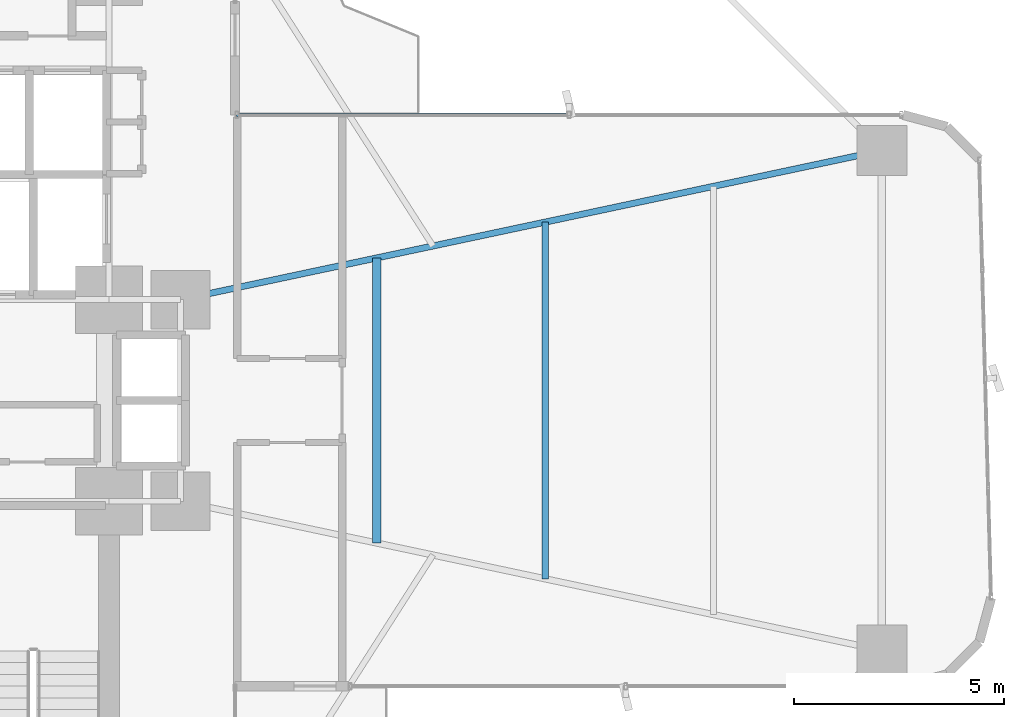
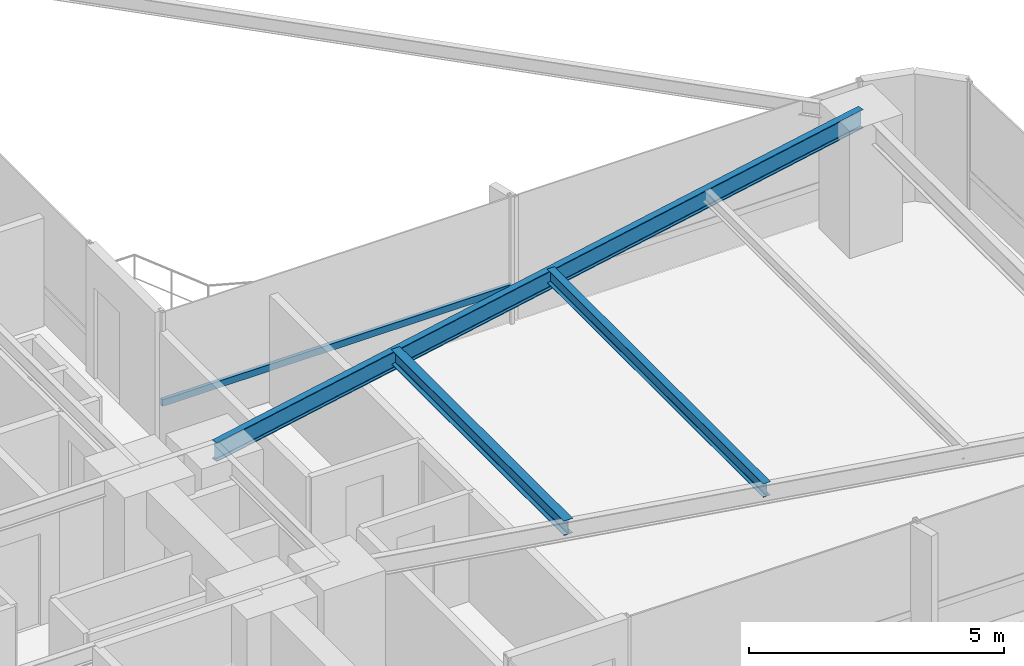
# One storey, part 15 of 26: 3 beams, 1 member, 1 element without a shape of its own.
"""IFC4 building model written with IfcOpenShell, lengths in metres."""

import ifcopenshell
import ifcopenshell.guid

model = None  # the IFC model being written
_history = None  # IfcOwnerHistory: only IFC2X3 demands one
_inside = {}  # id of a spatial element -> (the spatial element, [elements in it])
_under = {}  # id of a project, library or spatial element -> (it, [spatial elements below it])
_declared = {}  # id of a project -> (the project, [libraries it declares])
_typed = {}  # id of a type object -> (the type object, [elements of that type])
_made_of = {}  # id of a material, layer set ... -> (it, [elements and type objects made of it])


def new_model(schema):
    """Start an empty IFC model of exactly this schema.

    Asked for "IFC4X3", IfcOpenShell would pick the latest addendum, in which some entities
    have other attributes; the version numbers below select the first issue.
    IFC2X3 requires an IfcOwnerHistory on every rooted entity: one is made here for all.
    """
    global model, _history
    if schema == "IFC4X3":
        model = ifcopenshell.file(schema_version=(4, 3, 0, 0))
    else:
        model = ifcopenshell.file(schema=schema)
    _inside.clear()
    _under.clear()
    _declared.clear()
    _typed.clear()
    _made_of.clear()
    _history = None
    if model.schema == "IFC2X3":
        org = make("IfcOrganization", Name="unknown")
        user = make(
            "IfcPersonAndOrganization",
            ThePerson=make("IfcPerson", FamilyName="unknown"),
            TheOrganization=org,
        )
        app = make(
            "IfcApplication",
            ApplicationDeveloper=org,
            Version="unknown",
            ApplicationFullName="unknown",
            ApplicationIdentifier="unknown",
        )
        _history = make(
            "IfcOwnerHistory",
            OwningUser=user,
            OwningApplication=app,
            ChangeAction="ADDED",
            CreationDate=0,
        )
    return model


def make(cls, **values):
    """One entity of the class cls with the attributes given. An attribute that is None is left unset."""
    return model.create_entity(
        cls, **{name: value for name, value in values.items() if value is not None}
    )


def rooted(cls, **values):
    """An entity with a GlobalId (a new one), such as an element, a storey or a relation."""
    return make(cls, GlobalId=ifcopenshell.guid.new(), OwnerHistory=_history, **values)


def si_unit(unit_type, name, prefix=None):
    """IfcSIUnit, for example si_unit("LENGTHUNIT", "METRE", prefix="MILLI")."""
    return make("IfcSIUnit", UnitType=unit_type, Prefix=prefix, Name=name)


def assignment(units):
    """IfcUnitAssignment: the units of a project."""
    return None if units is None else make("IfcUnitAssignment", Units=units)


def point(xyz):
    """IfcCartesianPoint."""
    return None if xyz is None else make("IfcCartesianPoint", Coordinates=xyz)


def direction(xyz):
    """IfcDirection."""
    return None if xyz is None else make("IfcDirection", DirectionRatios=xyz)


def frame(location, z_axis=None, x_axis=None):
    """IfcAxis2Placement3D, a coordinate frame: its origin and axes. An axis left out is left unset."""
    return make(
        "IfcAxis2Placement3D",
        Location=point(location),
        Axis=direction(z_axis),
        RefDirection=direction(x_axis),
    )


def frame_2d(location, x_axis=None):
    """IfcAxis2Placement2D, a coordinate frame in the plane: its origin and x axis."""
    return make(
        "IfcAxis2Placement2D", Location=point(location), RefDirection=direction(x_axis)
    )


def origin():
    """The frame at (0, 0, 0) with its axes left unset."""
    return frame((0.0, 0.0, 0.0))


def origin_2d():
    """The frame at (0, 0) in the plane with its x axis left unset."""
    return frame_2d((0.0, 0.0))


def place(relative_to, where):
    """IfcLocalPlacement: puts the frame where relative to a parent placement (None: the world)."""
    return make(
        "IfcLocalPlacement", PlacementRelTo=relative_to, RelativePlacement=where
    )


def context(
    kind, dimensions, precision=None, world=None, true_north=None, identifier=None
):
    """IfcGeometricRepresentationContext, for example the 3D "Model" context."""
    return make(
        "IfcGeometricRepresentationContext",
        ContextIdentifier=identifier,
        ContextType=kind,
        CoordinateSpaceDimension=dimensions,
        Precision=precision,
        WorldCoordinateSystem=world,
        TrueNorth=true_north,
    )


def subcontext(parent, identifier, kind, view, scale=None):
    """IfcGeometricRepresentationSubContext, for example "Body" below "Model"."""
    return make(
        "IfcGeometricRepresentationSubContext",
        ContextIdentifier=identifier,
        ContextType=kind,
        ParentContext=parent,
        TargetScale=scale,
        TargetView=view,
    )


def project(units=None, contexts=None):
    """IfcProject with its units and contexts."""
    return rooted(
        "IfcProject",
        Name="project",
        RepresentationContexts=contexts,
        UnitsInContext=assignment(units),
    )


def spatial(cls, under=None, at=None, **own):
    """A site, building, storey or space (cls), placed at a placement, below another one or the project."""
    s = rooted(cls, ObjectPlacement=at, **own)
    if under is not None:
        _under.setdefault(under.id(), (under, []))[1].append(s)
    return s


def profile(cls, at=None, kind="AREA", **sizes):
    """A parametric profile (cls). Its sizes go by their IFC names, for example OverallWidth=200.0."""
    return make(cls, ProfileType=kind, Position=at, **sizes)


def hollow_rectangle(**sizes):
    """IfcRectangleHollowProfileDef."""
    return profile("IfcRectangleHollowProfileDef", **sizes)


def i_section(**sizes):
    """IfcIShapeProfileDef."""
    return profile("IfcIShapeProfileDef", **sizes)


def extrude(swept, where, along, depth):
    """IfcExtrudedAreaSolid: the profile swept, set in the frame where, extruded along a direction by depth."""
    return make(
        "IfcExtrudedAreaSolid",
        SweptArea=swept,
        Position=where,
        ExtrudedDirection=direction(along),
        Depth=depth,
    )


def shape(context_of_items, identifier, shape_type, items):
    """IfcShapeRepresentation: the items that make up one representation, for example the "Body"."""
    return make(
        "IfcShapeRepresentation",
        ContextOfItems=context_of_items,
        RepresentationIdentifier=identifier,
        RepresentationType=shape_type,
        Items=items,
    )


def source(mapping_origin, context_of_items, identifier, shape_type, items):
    """IfcRepresentationMap: a shape defined once, which mapped items show again and again."""
    return make(
        "IfcRepresentationMap",
        MappingOrigin=mapping_origin,
        MappedRepresentation=shape(context_of_items, identifier, shape_type, items),
    )


def transform(
    local_origin,
    x_axis=None,
    y_axis=None,
    z_axis=None,
    scale=None,
    scale2=None,
    scale3=None,
    uniform=True,
):
    """IfcCartesianTransformationOperator3D, or its non-uniform kind. x_axis, y_axis, z_axis: its Axis1, 2, 3."""
    if uniform:
        return make(
            "IfcCartesianTransformationOperator3D",
            Axis1=direction(x_axis),
            Axis2=direction(y_axis),
            LocalOrigin=point(local_origin),
            Scale=scale,
            Axis3=direction(z_axis),
        )
    return make(
        "IfcCartesianTransformationOperator3DnonUniform",
        Axis1=direction(x_axis),
        Axis2=direction(y_axis),
        LocalOrigin=point(local_origin),
        Scale=scale,
        Axis3=direction(z_axis),
        Scale2=scale2,
        Scale3=scale3,
    )


def mapped(mapping_source, mapping_target):
    """IfcMappedItem: shows the shape of a source again, moved by a transform."""
    return make(
        "IfcMappedItem", MappingSource=mapping_source, MappingTarget=mapping_target
    )


def material(Name=None, Category=None):
    """IfcMaterial."""
    return make("IfcMaterial", Name=Name, Category=Category)


def material_profile(
    of_material, cross_section, Name=None, Category=None, Priority=None
):
    """IfcMaterialProfile: a cross section and its material."""
    return make(
        "IfcMaterialProfile",
        Name=Name,
        Material=of_material,
        Profile=cross_section,
        Priority=Priority,
        Category=Category,
    )


def profile_set(profiles, Name=None, composite=None):
    """IfcMaterialProfileSet."""
    return make(
        "IfcMaterialProfileSet",
        Name=Name,
        MaterialProfiles=profiles,
        CompositeProfile=composite,
    )


def made_of(thing, what):
    """Note that an element or type object is made of a material, layer set ...; save() writes the relation."""
    if what is not None:
        _made_of.setdefault(what.id(), (what, []))[1].append(thing)
    return thing


def type_object(cls, material=None, **own):
    """A type object (cls), such as IfcWallType, which elements share."""
    return made_of(rooted(cls, **own), material)


def element(
    cls,
    number,
    at=None,
    inside=None,
    cuts=None,
    type_object=None,
    material=None,
    context=None,
    identifier="Body",
    shape_type=None,
    held_by="IfcProductDefinitionShape",
    body=None,
    shapes=None,
    **own,
):
    """One element of the class cls, such as IfcWall. Its Tag is "e" and its number.

    at: its placement. inside: the storey or other place that contains it. cuts: it is an
    opening in that element (IfcRelVoidsElement). A single representation is given by context,
    identifier, shape_type and body (its items); several are given by shapes. held_by: the class
    of the entity that holds the representations. save() writes the other relations.
    """
    e = rooted(cls, Tag="e%d" % number, ObjectPlacement=at, **own)
    if body is not None:
        shapes = [shape(context, identifier, shape_type, body)]
    if shapes is not None:
        e.Representation = make(held_by, Representations=shapes)
    if inside is not None:
        _inside.setdefault(inside.id(), (inside, []))[1].append(e)
    if cuts is not None:
        rooted(
            "IfcRelVoidsElement", RelatingBuildingElement=cuts, RelatedOpeningElement=e
        )
    if type_object is not None:
        _typed.setdefault(type_object.id(), (type_object, []))[1].append(e)
    return made_of(e, material)


def aggregate(whole, parts):
    """IfcRelAggregates: a whole, such as a stair, and the parts it consists of."""
    return rooted("IfcRelAggregates", RelatingObject=whole, RelatedObjects=parts)


def save(model, path):
    """Write the relations noted so far, then the file.

    IfcRelAggregates (storeys below a building ...), IfcRelContainedInSpatialStructure (elements
    in a storey), IfcRelDefinesByType, IfcRelAssociatesMaterial and IfcRelDeclares: one each for
    every whole, place, type object, material and project.
    """
    for whole, parts in _under.values():
        aggregate(whole, parts)
    for where, things in _inside.values():
        rooted(
            "IfcRelContainedInSpatialStructure",
            RelatedElements=things,
            RelatingStructure=where,
        )
    for kind, things in _typed.values():
        rooted("IfcRelDefinesByType", RelatedObjects=things, RelatingType=kind)
    for what, things in _made_of.values():
        rooted("IfcRelAssociatesMaterial", RelatedObjects=things, RelatingMaterial=what)
    for by, libraries in _declared.values():
        rooted("IfcRelDeclares", RelatingContext=by, RelatedDefinitions=libraries)
    model.write(path)


model = new_model("IFC4")

# Units and contexts
model_context = context("Model", 3, precision=1e-05, world=origin(), true_north=direction((0.0, 1.0)))
body_context = subcontext(model_context, "Body", "Model", "MODEL_VIEW")
ifc_project = project(units=[si_unit("LENGTHUNIT", "METRE"), si_unit("AREAUNIT", "SQUARE_METRE"), si_unit("VOLUMEUNIT", "CUBIC_METRE"), si_unit("PLANEANGLEUNIT", "RADIAN"), si_unit("MASSUNIT", "GRAM", prefix="KILO")], contexts=[model_context])

# Site, building, storey
site_placement = place(None, origin())
site = spatial("IfcSite", under=ifc_project, at=site_placement, CompositionType="ELEMENT")
building_placement = place(site_placement, origin())
building = spatial("IfcBuilding", under=site, at=building_placement, Name="Sahyath Konkavel Grand Hotel", CompositionType="ELEMENT")
storey_placement = place(building_placement, frame((0.0, 0.0, 43.199951171875)))
storey = spatial("IfcBuildingStorey", under=building, at=storey_placement, Name="L11", CompositionType="ELEMENT", Elevation=43.199951171875)

# Beams
ifc_material_1 = material(Name="Steel E350", Category="steel")
ifc_material_profile_1 = material_profile(ifc_material_1, i_section(OverallWidth=0.14990234375, OverallDepth=0.449951171875, WebThickness=0.009521484375, FlangeThickness=0.017333984375, FilletRadius=0.014892578125, at=origin_2d()), Name="ISMB 450")
ifc_profile_set_1 = profile_set([ifc_material_profile_1], Name="Steel E350")
beam_type_1 = type_object("IfcBeamType", Name="BM-ISMB450", PredefinedType="BEAM", material=ifc_profile_set_1)
shared_shape_1 = source(origin(), body_context, "Body", "SweptSolid", [
    extrude(i_section(OverallWidth=0.14990234375, OverallDepth=0.449951171875, WebThickness=0.009521484375, FlangeThickness=0.017333984375, FilletRadius=0.014892578125, at=origin_2d()), origin(), (0.0, 0.0, 1.0), 17.072998046875),
])
beam_1_placement = place(storey_placement, frame((5.5, 2.39990234375, 2.824951171875), z_axis=(0.978143257225, 0.20793212437, 0.0), x_axis=(-0.20793212437, 0.978143257225, 0.0)))
element("IfcBeam", 1, at=beam_1_placement, inside=storey, type_object=beam_type_1, Name="L11 Cruciform Radial Girder EB", PredefinedType="BEAM", context=body_context, shape_type="MappedRepresentation", body=[
    mapped(shared_shape_1, transform((0.0, 0.0, 0.0), scale=1.0)),
])
ifc_material_profile_2 = material_profile(ifc_material_1, i_section(OverallWidth=0.199951171875, OverallDepth=0.35009765625, WebThickness=0.008056640625, FlangeThickness=0.011474609375, FilletRadius=0.013916015625, at=origin_2d()), Name="ISWB 350")
ifc_profile_set_2 = profile_set([ifc_material_profile_2], Name="Steel E350")
beam_type_2 = type_object("IfcBeamType", Name="BM-ISWB350", PredefinedType="BEAM", material=ifc_profile_set_2)
shared_shape_2 = source(origin(), body_context, "Body", "SweptSolid", [
    extrude(i_section(OverallWidth=0.199951171875, OverallDepth=0.35009765625, WebThickness=0.008056640625, FlangeThickness=0.011474609375, FilletRadius=0.013916015625, at=origin_2d()), origin(), (0.0, 0.0, 1.0), 6.7880859375),
])
beam_2_placement = place(storey_placement, frame((10.176025390625, -3.39404296875, 2.875), z_axis=(0.0, 1.0, 0.0), x_axis=(-1.0, 0.0, 0.0)))
element("IfcBeam", 2, at=beam_2_placement, inside=storey, type_object=beam_type_2, Name="L11 Secondary Floor Beam E-1", PredefinedType="BEAM", context=body_context, shape_type="MappedRepresentation", body=[
    mapped(shared_shape_2, transform((0.0, 0.0, 0.0), scale=1.0)),
])
ifc_material_profile_3 = material_profile(ifc_material_1, i_section(OverallWidth=0.1650390625, OverallDepth=0.324951171875, WebThickness=0.007080078125, FlangeThickness=0.009765625, FilletRadius=0.014892578125, at=origin_2d()), Name="ISLB 325")
ifc_profile_set_3 = profile_set([ifc_material_profile_3], Name="Steel E350")
beam_type_3 = type_object("IfcBeamType", Name="BM-ISLB325", PredefinedType="BEAM", material=ifc_profile_set_3)
shared_shape_3 = source(origin(), body_context, "Body", "SweptSolid", [
    extrude(i_section(OverallWidth=0.1650390625, OverallDepth=0.324951171875, WebThickness=0.007080078125, FlangeThickness=0.009765625, FilletRadius=0.014892578125, at=origin_2d()), origin(), (0.0, 0.0, 1.0), 8.4921875),
])
beam_3_placement = place(storey_placement, frame((14.18408203125, -4.24609375, 2.887451171875), z_axis=(0.0, 1.0, 0.0), x_axis=(-1.0, 0.0, 0.0)))
element("IfcBeam", 3, at=beam_3_placement, inside=storey, type_object=beam_type_3, Name="L11 Secondary Floor Beam E-2", PredefinedType="BEAM", context=body_context, shape_type="MappedRepresentation", body=[
    mapped(shared_shape_3, transform((0.0, 0.0, 0.0), scale=1.0)),
])

# Curtain wall, member
ifc_material_2 = material(Name="Anodised Bronze Aluminium & Low-E Glazing", Category="aluminium")
curtain_wall_type = type_object("IfcCurtainWallType", Name="CW-ZONE1", PredefinedType="NOTDEFINED", material=ifc_material_2)
curtain_wall_placement = place(storey_placement, origin())
curtain_wall = element("IfcCurtainWall", 4, at=curtain_wall_placement, inside=storey, type_object=curtain_wall_type, Name="L11 Unitised Curtain Wall F7", PredefinedType="NOTDEFINED")
ifc_material_3 = material(Name="Anodised Bronze Aluminium", Category="aluminium")
ifc_material_profile_4 = material_profile(ifc_material_3, hollow_rectangle(XDim=0.080078125, YDim=0.159912109375, WallThickness=0.006103515625, at=origin_2d()), Name="RHS 160x80x6")
ifc_profile_set_4 = profile_set([ifc_material_profile_4], Name="Anodised Bronze Aluminium")
member_type = type_object("IfcMemberType", Name="CW-TRN-160", PredefinedType="USERDEFINED", material=ifc_profile_set_4)
shared_shape_4 = source(origin(), body_context, "Body", "SweptSolid", [
    extrude(hollow_rectangle(XDim=0.080078125, YDim=0.159912109375, WallThickness=0.006103515625, at=origin_2d()), origin(), (0.0, 0.0, 1.0), 7.909912109375),
])
member_placement = place(storey_placement, frame((14.75, 6.800048828125, 0.85009765625), z_axis=(-1.0, 0.0, 0.0), x_axis=(0.0, -1.0, 0.0)))
member = element("IfcMember", 5, at=member_placement, type_object=member_type, Name="L11 Curtain Wall Transom F7-1-spandrel", ObjectType="TRANSOM", PredefinedType="USERDEFINED", context=body_context, shape_type="MappedRepresentation", body=[
    mapped(shared_shape_4, transform((0.0, 0.0, 0.0), scale=1.0)),
])
aggregate(curtain_wall, [member])

save(model, "model.ifc")
